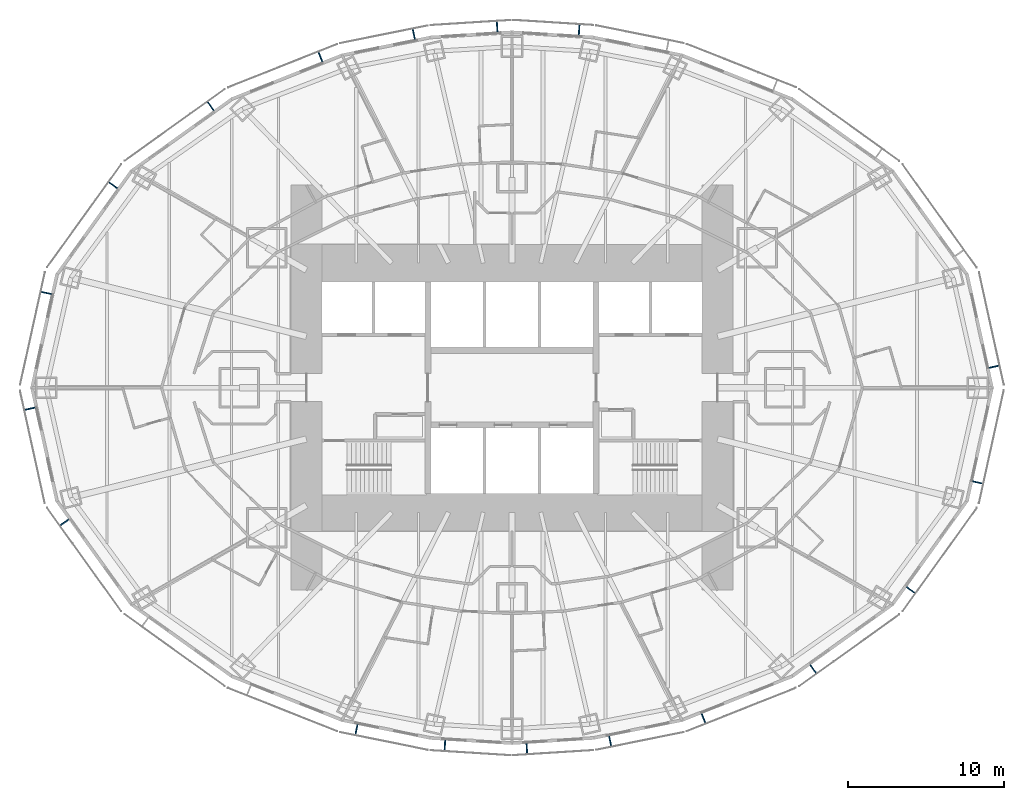
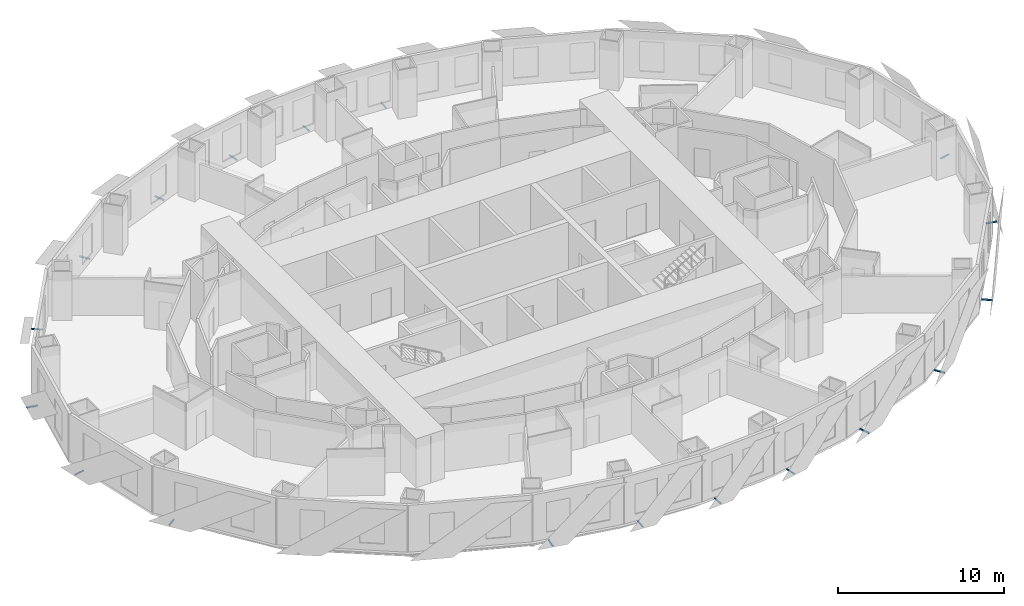
# One storey, part 11 of 15: 18 discrete accessories.
"""IFC4 building model written with IfcOpenShell, lengths in metres."""

from ifc_helpers import new_model, si_unit, direction, frame, origin, origin_2d, place, context, subcontext, project, spatial, rectangle, extrude, element, save


model = new_model("IFC4")

# Units and contexts
model_context = context("Model", 3, precision=1e-05, world=origin(), true_north=direction((0.0, 1.0)))
body_context = subcontext(model_context, "Body", "Model", "MODEL_VIEW")
ifc_project = project(units=[si_unit("LENGTHUNIT", "METRE"), si_unit("AREAUNIT", "SQUARE_METRE"), si_unit("VOLUMEUNIT", "CUBIC_METRE"), si_unit("PLANEANGLEUNIT", "RADIAN"), si_unit("MASSUNIT", "GRAM", prefix="KILO")], contexts=[model_context])

# Site, building, storey
site_placement = place(None, origin())
site = spatial("IfcSite", under=ifc_project, at=site_placement, CompositionType="ELEMENT")
building_placement = place(site_placement, origin())
building = spatial("IfcBuilding", under=site, at=building_placement, Name="Lantaw Convention Tower", CompositionType="ELEMENT")
storey_placement = place(building_placement, frame((0.0, 0.0, 87.39990234375)))
storey = spatial("IfcBuildingStorey", under=building, at=storey_placement, Name="L20", CompositionType="ELEMENT", Elevation=87.39990234375)

# Discrete accessories
for number, where, z_axis, x_axis, name in (
    (1, (30.967529296875, 1.35009765625, -0.114990234375), (0.0, 0.0, 1.0), (-0.215246056391, 0.976559847223, 0.0), "Screen bracket"),
    (2, (4.310302734375, 22.987548828125, -0.114990234375), (0.0, 0.0, 1.0), (-0.998016153807, 0.062958373078, 0.0), "Screen bracket"),
    (3, (-0.9560546875, 23.19921875, -0.114990234375), (0.0, 0.0, 1.0), (-0.998016153807, -0.062958373078, 0.0), "Screen bracket"),
    (4, (-6.307861328125, 22.71728515625, -0.114990234375), (0.0, 0.0, 1.0), (-0.980244604501, -0.197789067813, 0.0), "Screen bracket"),
    (5, (-12.309814453125, 21.25732421875, -0.114990234375), (0.0, 0.0, 1.0), (-0.929361152748, -0.369171840425, 0.0), "Screen bracket"),
    (6, (-19.352294921875, 18.085205078125, -0.114990234375), (0.0, 0.0, 1.0), (-0.812803733199, -0.5825376308, 0.0), "Screen bracket"),
    (7, (-25.61962890625, 13.004638671875, -0.114990234375), (0.0, 0.0, 1.0), (-0.583951250436, -0.811788726895, 0.0), "Screen bracket"),
    (8, (-29.92333984375, 6.087890625, -0.114990234375), (0.0, 0.0, 1.0), (-0.215246056391, -0.976559847223, 0.0), "Screen bracket"),
    (9, (-30.967529296875, -1.35009765625, -0.114990234375), (0.0, 0.0, 1.0), (0.215246056391, -0.976559847223, 0.0), "Screen bracket"),
    (10, (-28.745849609375, -8.65869140625, -0.114990234375), (0.0, 0.0, 1.0), (0.583951250436, -0.811788726895, 0.0), "Screen bracket"),
    (11, (-9.990478515625, -21.974365234375, -0.114990234375), (0.0, 0.0, 1.0), (0.980244604501, -0.197789067813, 0.0), "Screen bracket"),
    (12, (-4.310302734375, -22.987548828125, -0.114990234375), (0.0, 0.0, 1.0), (0.998016153807, -0.062958373078, 0.0), "Screen bracket"),
    (13, (0.9560546875, -23.19921875, -0.114990234375), (0.0, 0.0, 1.0), (0.998016153807, 0.062958373078, 0.0), "Screen bracket"),
    (14, (6.307861328125, -22.71728515625, -0.114990234375), (0.0, 0.0, 1.0), (0.980244604501, 0.197789067813, 0.0), "Screen bracket"),
    (15, (12.309814453125, -21.25732421875, -0.114990234375), (0.0, 0.0, 1.0), (0.929361152748, 0.369171840425, 0.0), "Screen bracket"),
    (16, (19.352294921875, -18.085205078125, -0.114990234375), (0.0, 0.0, 1.0), (0.812803733199, 0.5825376308, 0.0), "Screen bracket"),
    (17, (25.61962890625, -13.004638671875, -0.114990234375), (0.0, 0.0, 1.0), (0.583951250436, 0.811788726895, 0.0), "Screen bracket"),
    (18, (29.92333984375, -6.087890625, -0.114990234375), (0.0, 0.0, 1.0), (0.215246056391, 0.976559847223, 0.0), "Screen bracket"),
):
    element("IfcDiscreteAccessory", number, at=place(storey_placement, frame(where, z_axis=z_axis, x_axis=x_axis)), inside=storey, Name=name, PredefinedType="BRACKET", context=body_context, shape_type="SweptSolid", body=[
        extrude(rectangle(XDim=0.080078125, YDim=0.68798828125, at=origin_2d()), origin(), (0.0, 0.0, 1.0), 0.080078125),
    ])

save(model, "model.ifc")
